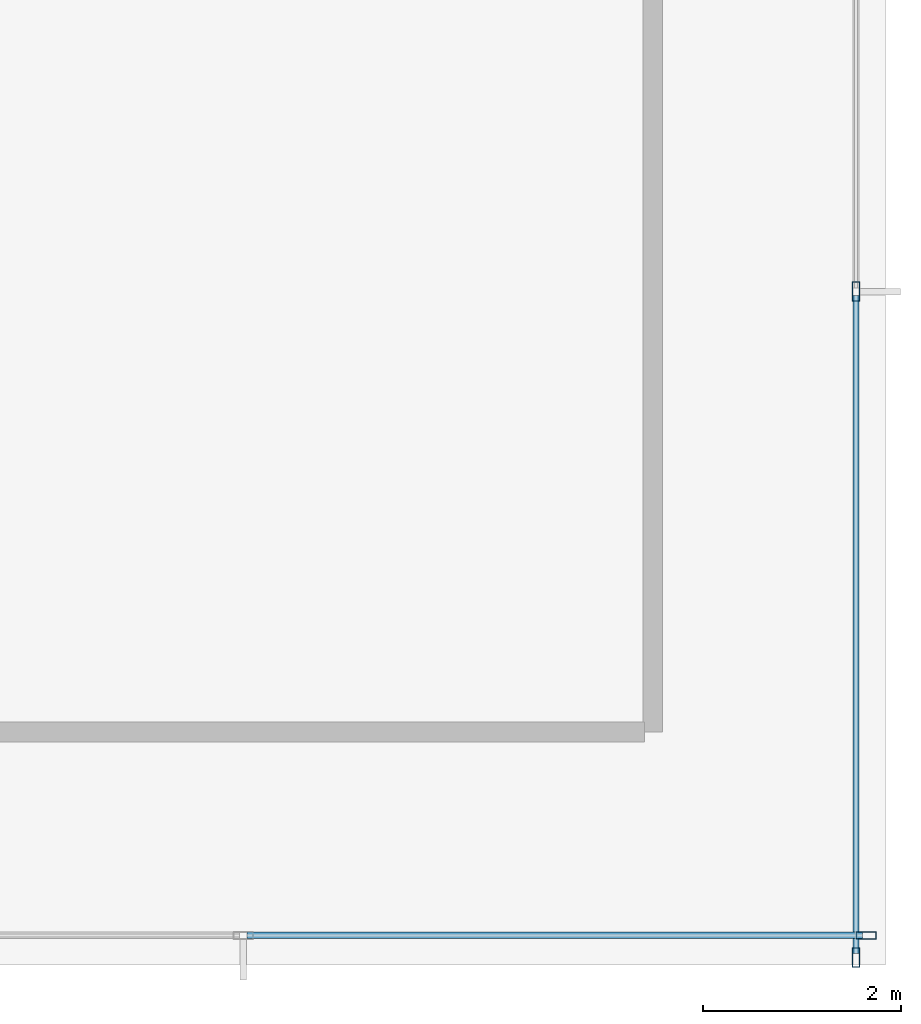
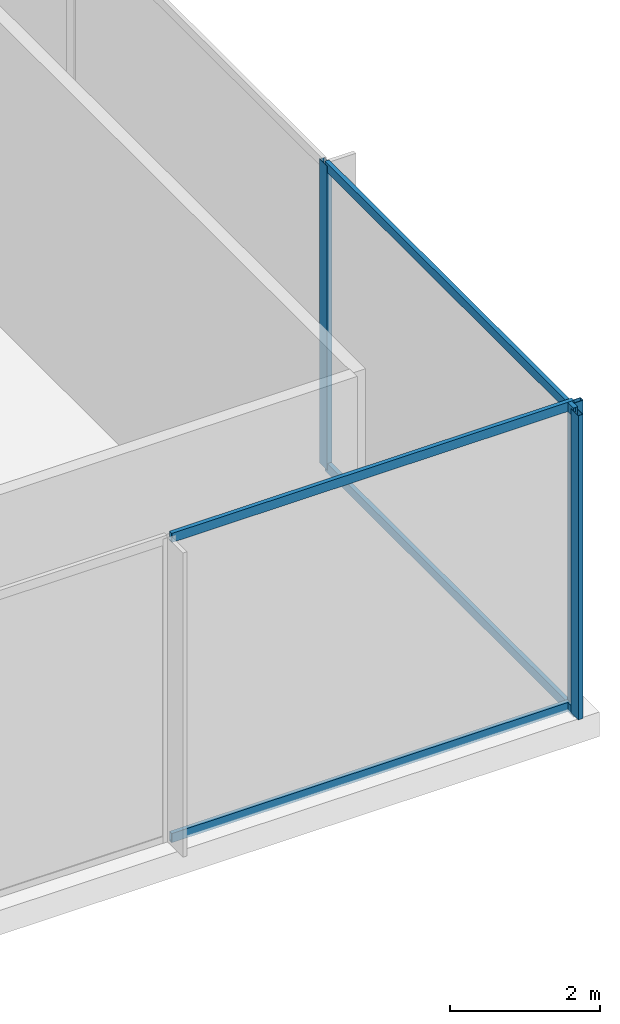
# One storey, part 15 of 43: 7 members, 2 elements without a shape of their own.
"""IFC4 building model written with IfcOpenShell, lengths in metres."""

from ifc_helpers import new_model, si_unit, direction, frame, origin, origin_2d, place, context, subcontext, project, spatial, hollow_rectangle, extrude, material, layer, layer_set, material_profile, profile_set, type_object, element, aggregate, save


model = new_model("IFC4")

# Units and contexts
model_context = context("Model", 3, precision=1e-05, world=origin(), true_north=direction((0.0, 1.0)))
body_context = subcontext(model_context, "Body", "Model", "MODEL_VIEW")
ifc_project = project(units=[si_unit("LENGTHUNIT", "METRE"), si_unit("AREAUNIT", "SQUARE_METRE"), si_unit("VOLUMEUNIT", "CUBIC_METRE"), si_unit("PLANEANGLEUNIT", "RADIAN"), si_unit("MASSUNIT", "GRAM", prefix="KILO")], contexts=[model_context])

# Site, building, storey
site_placement = place(None, origin())
site = spatial("IfcSite", under=ifc_project, at=site_placement, CompositionType="ELEMENT")
building_placement = place(site_placement, origin())
building = spatial("IfcBuilding", under=site, at=building_placement, Name="Orvanel Arch Residences", CompositionType="ELEMENT")
storey_placement = place(building_placement, frame((0.0, 0.0, 18.39990234375)))
storey = spatial("IfcBuildingStorey", under=building, at=storey_placement, Name="L04", CompositionType="ELEMENT", Elevation=18.39990234375)

# Curtain wall, member
ifc_material = material(Name="Bronze-anodised aluminium AA6063-T6", Category="aluminium")
ifc_layer = layer(ifc_material, 0.199951171875)
ifc_layer_set = layer_set([ifc_layer], Name="Bronze-anodised aluminium AA6063-T6")
curtain_wall_type = type_object("IfcCurtainWallType", Name="CW1-POD-SYS", PredefinedType="NOTDEFINED", material=ifc_layer_set)
curtain_wall_1_placement = place(storey_placement, origin())
curtain_wall_1 = element("IfcCurtainWall", 1, at=curtain_wall_1_placement, inside=storey, type_object=curtain_wall_type, Name="L04 CW1-POD-SYS Unitised Curtain Wall", PredefinedType="NOTDEFINED")
ifc_material_profile_1 = material_profile(ifc_material, hollow_rectangle(XDim=0.074951171875, YDim=0.199951171875, WallThickness=0.0048828125, at=origin_2d()), Name="ALU200x75x5")
ifc_profile_set_1 = profile_set([ifc_material_profile_1], Name="Bronze-anodised aluminium AA6063-T6")
member_type_1 = type_object("IfcMemberType", Name="MUL-200x75", PredefinedType="MULLION", material=ifc_profile_set_1)
member_1_placement = place(storey_placement, frame((64.552490234375, 0.75, 0.0), z_axis=(0.0, 0.0, 1.0), x_axis=(0.0, 1.0, 0.0)))
member_1 = element("IfcMember", 2, at=member_1_placement, type_object=member_type_1, Name="CW-S1 mullion 11", PredefinedType="MULLION", context=body_context, shape_type="SweptSolid", body=[
    extrude(hollow_rectangle(XDim=0.074951171875, YDim=0.199951171875, WallThickness=0.0048828125, at=origin_2d()), origin(), (0.0, 0.0, 1.0), 4.960205078125),
])

# Curtain wall, members
curtain_wall_2_placement = place(storey_placement, origin())
curtain_wall_2 = element("IfcCurtainWall", 3, at=curtain_wall_2_placement, inside=storey, type_object=curtain_wall_type, Name="L04 CW1-POD-SYS Unitised Curtain Wall", PredefinedType="NOTDEFINED")
member_2_placement = place(storey_placement, frame((64.449951171875, 0.527587890625, 0.0), z_axis=(0.0, 0.0, 1.0), x_axis=(-1.0, 0.0, 0.0)))
member_2 = element("IfcMember", 4, at=member_2_placement, type_object=member_type_1, Name="CW-S1 mullion 1", PredefinedType="MULLION", context=body_context, shape_type="SweptSolid", body=[
    extrude(hollow_rectangle(XDim=0.074951171875, YDim=0.199951171875, WallThickness=0.0048828125, at=origin_2d()), origin(), (0.0, 0.0, 1.0), 4.960205078125),
])
member_3_placement = place(storey_placement, frame((64.449951171875, 7.242431640625, 0.0), z_axis=(0.0, 0.0, 1.0), x_axis=(-1.0, 0.0, 0.0)))
member_3 = element("IfcMember", 5, at=member_3_placement, type_object=member_type_1, Name="CW-S1 mullion 2", PredefinedType="MULLION", context=body_context, shape_type="SweptSolid", body=[
    extrude(hollow_rectangle(XDim=0.074951171875, YDim=0.199951171875, WallThickness=0.0048828125, at=origin_2d()), origin(), (0.0, 0.0, 1.0), 4.960205078125),
])

# Member
ifc_material_profile_2 = material_profile(ifc_material, hollow_rectangle(XDim=0.06494140625, YDim=0.14990234375, WallThickness=0.00390625, at=origin_2d()), Name="ALU150x65x4")
ifc_profile_set_2 = profile_set([ifc_material_profile_2], Name="Bronze-anodised aluminium AA6063-T6")
member_type_2 = type_object("IfcMemberType", Name="TRN-150x65", PredefinedType="USERDEFINED", material=ifc_profile_set_2)
member_4_placement = place(storey_placement, frame((58.3095703125, 0.75, 0.03271484375), z_axis=(1.0, 0.0, 0.0), x_axis=(0.0, 1.0, 0.0)))
member_4 = element("IfcMember", 6, at=member_4_placement, type_object=member_type_2, Name="CW-S1 transom 10.1", ObjectType="TRANSOM", PredefinedType="USERDEFINED", context=body_context, shape_type="SweptSolid", body=[
    extrude(hollow_rectangle(XDim=0.06494140625, YDim=0.14990234375, WallThickness=0.00390625, at=origin_2d()), origin(), (0.0, 0.0, 1.0), 6.205322265625),
])

member_5_placement = place(storey_placement, frame((58.3095703125, 0.75, 4.927490234375), z_axis=(1.0, 0.0, 0.0), x_axis=(0.0, 1.0, 0.0)))
member_5 = element("IfcMember", 7, at=member_5_placement, type_object=member_type_2, Name="CW-S1 transom 10.2", ObjectType="TRANSOM", PredefinedType="USERDEFINED", context=body_context, shape_type="SweptSolid", body=[
    extrude(hollow_rectangle(XDim=0.06494140625, YDim=0.14990234375, WallThickness=0.00390625, at=origin_2d()), origin(), (0.0, 0.0, 1.0), 6.205322265625),
])

aggregate(curtain_wall_1, [member_1, member_4, member_5])

member_6_placement = place(storey_placement, frame((64.449951171875, 0.56494140625, 0.03271484375), z_axis=(0.0, 1.0, 0.0), x_axis=(-1.0, 0.0, 0.0)))
member_6 = element("IfcMember", 8, at=member_6_placement, type_object=member_type_2, Name="CW-S1 transom 1.1", ObjectType="TRANSOM", PredefinedType="USERDEFINED", context=body_context, shape_type="SweptSolid", body=[
    extrude(hollow_rectangle(XDim=0.06494140625, YDim=0.14990234375, WallThickness=0.00390625, at=origin_2d()), origin(), (0.0, 0.0, 1.0), 6.64013671875),
])

member_7_placement = place(storey_placement, frame((64.449951171875, 0.56494140625, 4.927490234375), z_axis=(0.0, 1.0, 0.0), x_axis=(-1.0, 0.0, 0.0)))
member_7 = element("IfcMember", 9, at=member_7_placement, type_object=member_type_2, Name="CW-S1 transom 1.2", ObjectType="TRANSOM", PredefinedType="USERDEFINED", context=body_context, shape_type="SweptSolid", body=[
    extrude(hollow_rectangle(XDim=0.06494140625, YDim=0.14990234375, WallThickness=0.00390625, at=origin_2d()), origin(), (0.0, 0.0, 1.0), 6.64013671875),
])

aggregate(curtain_wall_2, [member_2, member_3, member_6, member_7])

save(model, "model.ifc")
